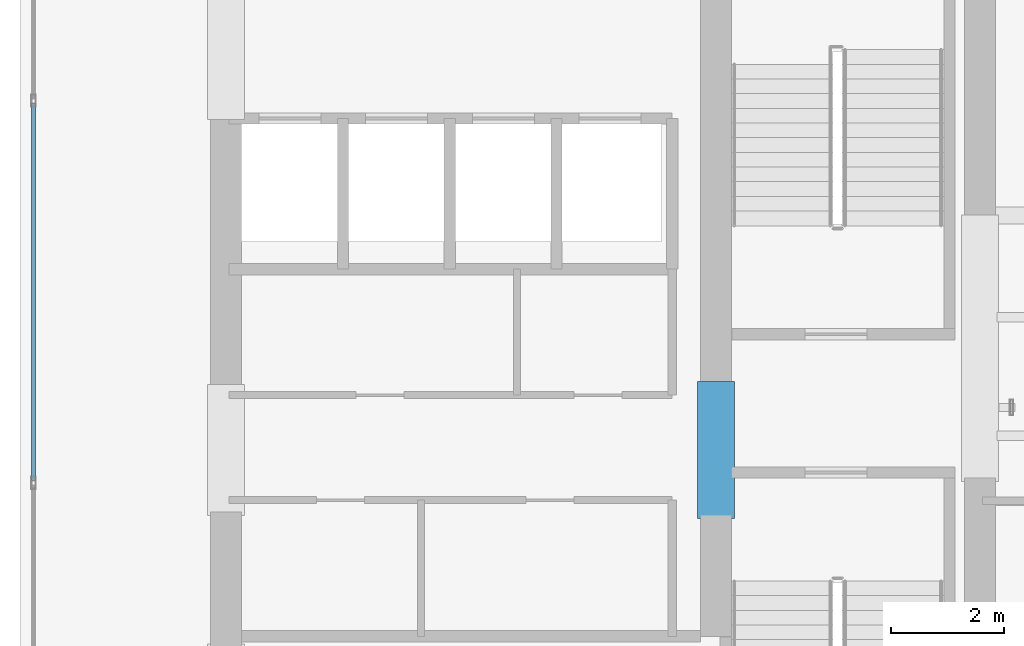
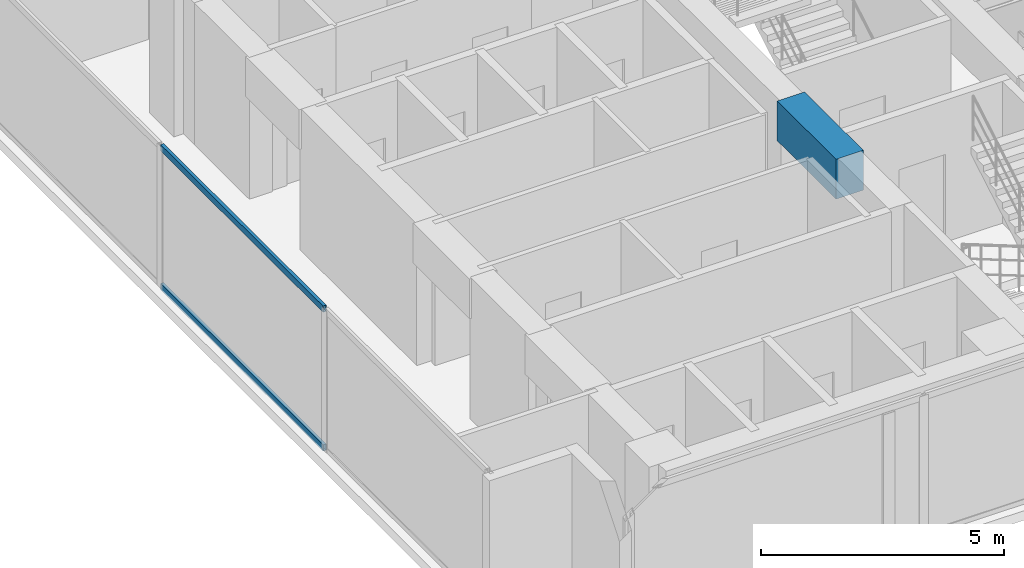
# One storey, part 3 of 24: 2 members, 1 beam, 1 element without a shape of its own.
"""IFC4 building model written with IfcOpenShell, lengths in metres."""

from ifc_helpers import new_model, si_unit, direction, frame, origin, origin_with_axes, origin_2d, place, context, subcontext, project, spatial, rectangle, hollow_rectangle, extrude, source, transform, mapped, material, layer, layer_set, material_profile, profile_set, type_object, element, aggregate, save


model = new_model("IFC4")

# Units and contexts
model_context = context("Model", 3, precision=1e-05, world=origin(), true_north=direction((0.0, 1.0)))
body_context = subcontext(model_context, "Body", "Model", "MODEL_VIEW")
ifc_project = project(units=[si_unit("LENGTHUNIT", "METRE"), si_unit("AREAUNIT", "SQUARE_METRE"), si_unit("VOLUMEUNIT", "CUBIC_METRE"), si_unit("PLANEANGLEUNIT", "RADIAN"), si_unit("MASSUNIT", "GRAM", prefix="KILO")], contexts=[model_context])

# Site, building, storey
site_placement = place(None, origin())
site = spatial("IfcSite", under=ifc_project, at=site_placement, CompositionType="ELEMENT")
building_placement = place(site_placement, origin())
building = spatial("IfcBuilding", under=site, at=building_placement, Name="Kolvaren Waterfront Exchange", CompositionType="ELEMENT")
storey_placement = place(building_placement, frame((0.0, 0.0, 238.699951171875)))
storey = spatial("IfcBuildingStorey", under=building, at=storey_placement, Name="L61", CompositionType="ELEMENT", Elevation=238.699951171875)

# Beam
ifc_material_1 = material(Name="Concrete C60/75", Category="concrete")
ifc_material_profile_1 = material_profile(ifc_material_1, rectangle(XDim=0.64990234375, YDim=1.0, at=origin_2d()), Name="RC-CB-1000x650")
ifc_profile_set_1 = profile_set([ifc_material_profile_1], Name="Concrete C60/75")
beam_type = type_object("IfcBeamType", Name="STR-CB-1000", PredefinedType="SPANDREL", material=ifc_profile_set_1)
beam_placement = place(storey_placement, frame((16.125, 12.0400390625, 3.06005859375), z_axis=(0.0, 1.0, 0.0), x_axis=(-1.0, 0.0, 0.0)))
element("IfcBeam", 1, at=beam_placement, inside=storey, type_object=beam_type, Name="L61 core coupling beam 6", PredefinedType="SPANDREL", context=body_context, shape_type="SweptSolid", body=[
    extrude(rectangle(XDim=0.64990234375, YDim=1.0, at=origin_2d()), origin(), (0.0, 0.0, 1.0), 2.419921875),
])

# Curtain wall, members
ifc_material_2 = material(Name="Anodised aluminium 6063-T6", Category="aluminium")
ifc_layer = layer(ifc_material_2, 0.219970703125, Name="Anodised aluminium 6063-T6")
ifc_layer_set = layer_set([ifc_layer], Name="Anodised aluminium 6063-T6")
curtain_wall_type = type_object("IfcCurtainWallType", Name="ARC-CW-SYS2", PredefinedType="USERDEFINED", material=ifc_layer_set)
curtain_wall_placement = place(storey_placement, origin())
curtain_wall = element("IfcCurtainWall", 2, at=curtain_wall_placement, inside=storey, type_object=curtain_wall_type, Name="L61 stick curtain wall CW2 (CW-L61-W)", ObjectType="STICK CURTAIN WALL", PredefinedType="USERDEFINED")
ifc_material_profile_2 = material_profile(ifc_material_2, hollow_rectangle(XDim=0.074951171875, YDim=0.159912109375, WallThickness=0.00439453125, at=origin_2d()), Name="ALU-TRN-160x75x4.5")
ifc_profile_set_2 = profile_set([ifc_material_profile_2], Name="Anodised aluminium 6063-T6")
member_type = type_object("IfcMemberType", Name="ARC-CWT-160", PredefinedType="USERDEFINED", material=ifc_profile_set_2)
shared_shape = source(origin_with_axes(), body_context, "Body", "SweptSolid", [
    extrude(hollow_rectangle(XDim=0.074951171875, YDim=0.159912109375, WallThickness=0.00439453125, at=origin_2d()), origin(), (0.0, 0.0, 1.0), 6.6865234375),
])
member_1_placement = place(storey_placement, frame((4.0400390625, 12.706787109375, 0.03759765625), z_axis=(0.0, 1.0, 0.0), x_axis=(-1.0, 0.0, 0.0)))
member_1 = element("IfcMember", 3, at=member_1_placement, type_object=member_type, Name="CW2 transom 2.1", ObjectType="TRANSOM", PredefinedType="USERDEFINED", context=body_context, shape_type="MappedRepresentation", body=[
    mapped(shared_shape, transform((0.0, 0.0, 0.0), x_axis=(1.0, 0.0, 0.0), y_axis=(0.0, 1.0, 0.0), z_axis=(0.0, 0.0, 1.0), scale=1.0)),
])
member_2_placement = place(storey_placement, frame((4.0400390625, 12.706787109375, 3.5224609375), z_axis=(0.0, 1.0, 0.0), x_axis=(-1.0, 0.0, 0.0)))
member_2 = element("IfcMember", 4, at=member_2_placement, type_object=member_type, Name="CW2 transom 2.2", ObjectType="TRANSOM", PredefinedType="USERDEFINED", context=body_context, shape_type="MappedRepresentation", body=[
    mapped(shared_shape, transform((0.0, 0.0, 0.0), x_axis=(1.0, 0.0, 0.0), y_axis=(0.0, 1.0, 0.0), z_axis=(0.0, 0.0, 1.0), scale=1.0)),
])
aggregate(curtain_wall, [member_1, member_2])

save(model, "model.ifc")
